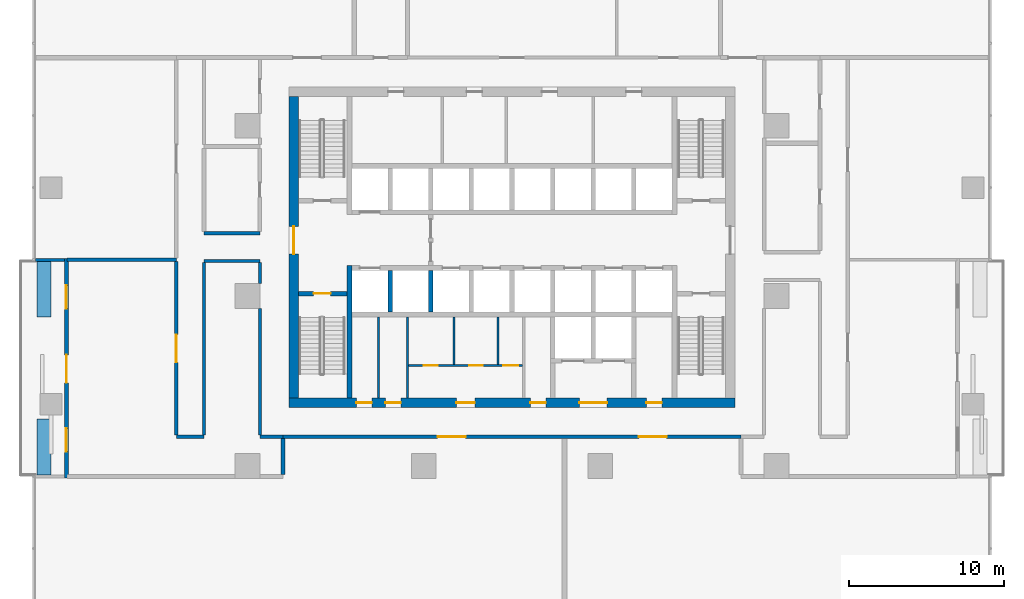
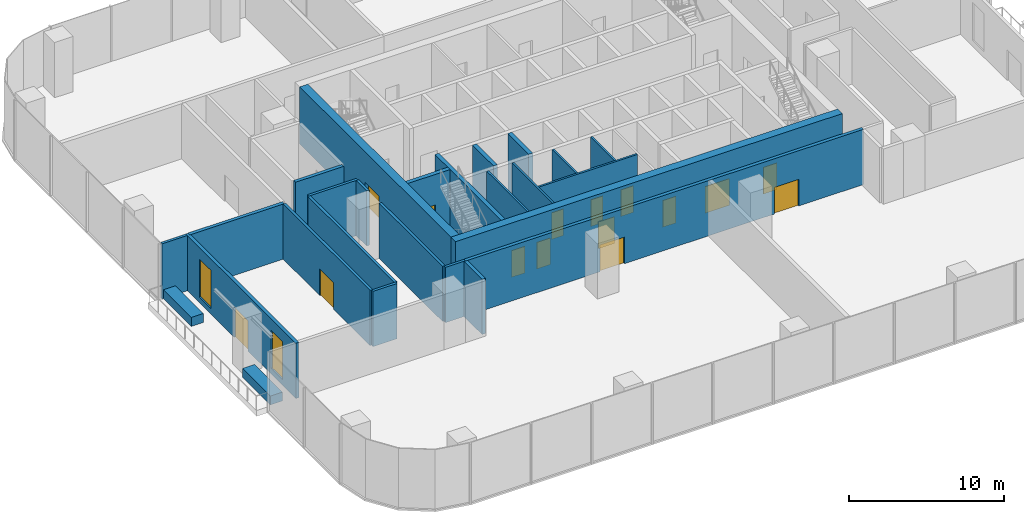
# One storey, part 7 of 14: 26 walls, 15 doors, 2 windows, 17 openings.
"""IFC4 building model written with IfcOpenShell, lengths in metres."""

from ifc_helpers import new_model, si_unit, direction, frame, frame_2d, origin, place, context, subcontext, project, spatial, rectangle, extrude, material, layer, layer_set, type_object, element, fill, save


model = new_model("IFC4")

# Units and contexts
model_context = context("Model", 3, precision=1e-05, world=origin(), true_north=direction((0.0, 1.0)))
body_context = subcontext(model_context, "Body", "Model", "MODEL_VIEW")
ifc_project = project(units=[si_unit("LENGTHUNIT", "METRE"), si_unit("AREAUNIT", "SQUARE_METRE"), si_unit("VOLUMEUNIT", "CUBIC_METRE"), si_unit("PLANEANGLEUNIT", "RADIAN"), si_unit("MASSUNIT", "GRAM", prefix="KILO")], contexts=[model_context])

# Site, building, storey
site_placement = place(None, origin())
site = spatial("IfcSite", under=ifc_project, at=site_placement, CompositionType="ELEMENT")
building_placement = place(site_placement, origin())
building = spatial("IfcBuilding", under=site, at=building_placement, Name="Mopane Tessera Tower", CompositionType="ELEMENT")
storey_placement = place(building_placement, frame((0.0, 0.0, 35.800048828125)))
storey = spatial("IfcBuildingStorey", under=building, at=storey_placement, Name="L06", CompositionType="ELEMENT", Elevation=35.800048828125)

# Walls
ifc_material_1 = material(Name="Fire-rated gypsum board partition")
ifc_layer_1 = layer(ifc_material_1, 0.14990234375)
ifc_layer_set_1 = layer_set([ifc_layer_1], Name="Fire-rated gypsum board partition")
wall_type_1 = type_object("IfcWallType", Name="Core room partition 150 mm", PredefinedType="PARTITIONING", material=ifc_layer_set_1)
for number, where, z_axis, x_axis, name in (
    (1, (-8.625, -6.60009765625, 0.0), (0.0, 0.0, 1.0), (0.0, 1.0, 0.0), "L06 Room partition"),
    (2, (-6.75, -6.60009765625, 0.0), (0.0, 0.0, 1.0), (0.0, 1.0, 0.0), "L06 Room partition"),
):
    element("IfcWall", number, at=place(storey_placement, frame(where, z_axis=z_axis, x_axis=x_axis)), inside=storey, type_object=wall_type_1, Name=name, PredefinedType="PARTITIONING", context=body_context, shape_type="SweptSolid", body=[
        extrude(rectangle(XDim=5.25, YDim=0.14990234375, at=frame_2d((2.625, 0.0))), origin(), (0.0, 0.0, 1.0), 4.5),
    ])

# Wall, openings, doors
wall_1_placement = place(storey_placement, frame((-6.675048828125, -4.5, 0.0), z_axis=(0.0, 0.0, 1.0), x_axis=(1.0, 0.0, 0.0)))
wall_1 = element("IfcWall", 3, at=wall_1_placement, inside=storey, type_object=wall_type_1, Name="L06 WC partition", PredefinedType="PARTITIONING", context=body_context, shape_type="SweptSolid", body=[
    extrude(rectangle(XDim=7.35009765625, YDim=0.14990234375, at=frame_2d((3.675048828125, 0.0))), origin(), (0.0, 0.0, 1.0), 4.5),
])
opening_1_placement = place(wall_1_placement, frame((0.97509765625, 0.0, 0.0)))
opening_1 = element("IfcOpeningElement", 4, at=opening_1_placement, cuts=wall_1, Name="Opening WD1", PredefinedType="OPENING", context=body_context, shape_type="SweptSolid", body=[
    extrude(rectangle(XDim=0.89990234375, YDim=2.10009765625, at=frame_2d((0.449951171875, 1.050048828125))), frame((0.0, 0.0869140625, 0.0), z_axis=(0.0, -1.0, 0.0), x_axis=(1.0, 0.0, 0.0)), (0.0, 0.0, 1.0), 0.173828125),
])
opening_2_placement = place(wall_1_placement, frame((3.89990234375, 0.0, 0.0)))
opening_2 = element("IfcOpeningElement", 5, at=opening_2_placement, cuts=wall_1, Name="Opening WD1", PredefinedType="OPENING", context=body_context, shape_type="SweptSolid", body=[
    extrude(rectangle(XDim=0.89990234375, YDim=2.10009765625, at=frame_2d((0.449951171875, 1.050048828125))), frame((0.0, 0.0869140625, 0.0), z_axis=(0.0, -1.0, 0.0), x_axis=(1.0, 0.0, 0.0)), (0.0, 0.0, 1.0), 0.173828125),
])
opening_3_placement = place(wall_1_placement, frame((6.125, 0.0, 0.0)))
opening_3 = element("IfcOpeningElement", 6, at=opening_3_placement, cuts=wall_1, Name="Opening WD2", PredefinedType="OPENING", context=body_context, shape_type="SweptSolid", body=[
    extrude(rectangle(XDim=0.949951171875, YDim=2.10009765625, at=frame_2d((0.47509765625, 1.050048828125))), frame((0.0, 0.0869140625, 0.0), z_axis=(0.0, -1.0, 0.0), x_axis=(1.0, 0.0, 0.0)), (0.0, 0.0, 1.0), 0.173828125),
])
ifc_material_2 = material(Name="Timber door", Category="wood")
door_type_1 = type_object("IfcDoorType", Name="Accessible WC door 950 x 2100", OperationType="SINGLE_SWING_LEFT", PredefinedType="DOOR", material=ifc_material_2)
door_1_placement = place(opening_3_placement, origin())
door_1 = element("IfcDoor", 7, at=door_1_placement, inside=storey, type_object=door_type_1, Name="L06 Accessible WC door", OperationType="SINGLE_SWING_LEFT", OverallHeight=2.10009765625, OverallWidth=0.949951171875, PredefinedType="DOOR", context=body_context, shape_type="SweptSolid", body=[
    extrude(rectangle(XDim=0.949951171875, YDim=2.10009765625, at=frame_2d((0.47509765625, 1.050048828125))), frame((0.0, 0.02490234375, 0.0), z_axis=(0.0, -1.0, 0.0), x_axis=(1.0, 0.0, 0.0)), (0.0, 0.0, 1.0), 0.050048828125),
])
fill(opening_3, door_1)
ifc_material_3 = material(Name="Timber door", Category="wood")
door_type_2 = type_object("IfcDoorType", Name="WC cubicle door 900 x 2100", OperationType="SINGLE_SWING_LEFT", PredefinedType="DOOR", material=ifc_material_3)
door_2_placement = place(opening_1_placement, origin())
door_2 = element("IfcDoor", 8, at=door_2_placement, inside=storey, type_object=door_type_2, Name="L06 Men's WC door", OperationType="SINGLE_SWING_LEFT", OverallHeight=2.10009765625, OverallWidth=0.89990234375, PredefinedType="DOOR", context=body_context, shape_type="SweptSolid", body=[
    extrude(rectangle(XDim=0.89990234375, YDim=2.10009765625, at=frame_2d((0.449951171875, 1.050048828125))), frame((0.0, 0.02490234375, 0.0), z_axis=(0.0, -1.0, 0.0), x_axis=(1.0, 0.0, 0.0)), (0.0, 0.0, 1.0), 0.050048828125),
])
fill(opening_1, door_2)
door_3_placement = place(opening_2_placement, origin())
door_3 = element("IfcDoor", 9, at=door_3_placement, inside=storey, type_object=door_type_2, Name="L06 Women's WC door", OperationType="SINGLE_SWING_LEFT", OverallHeight=2.10009765625, OverallWidth=0.89990234375, PredefinedType="DOOR", context=body_context, shape_type="SweptSolid", body=[
    extrude(rectangle(XDim=0.89990234375, YDim=2.10009765625, at=frame_2d((0.449951171875, 1.050048828125))), frame((0.0, 0.02490234375, 0.0), z_axis=(0.0, -1.0, 0.0), x_axis=(1.0, 0.0, 0.0)), (0.0, 0.0, 1.0), 0.050048828125),
])
fill(opening_2, door_3)

# Walls
for number, where, z_axis, x_axis, name in (
    (10, (-3.75, -4.425048828125, 0.0), (0.0, 0.0, 1.0), (0.0, 1.0, 0.0), "L06 WC partition"),
    (11, (-0.89990234375, -4.425048828125, 0.0), (0.0, 0.0, 1.0), (0.0, 1.0, 0.0), "L06 WC partition"),
):
    element("IfcWall", number, at=place(storey_placement, frame(where, z_axis=z_axis, x_axis=x_axis)), inside=storey, type_object=wall_type_1, Name=name, PredefinedType="PARTITIONING", context=body_context, shape_type="SweptSolid", body=[
        extrude(rectangle(XDim=3.074951171875, YDim=0.14990234375, at=frame_2d((1.53759765625, 0.0))), origin(), (0.0, 0.0, 1.0), 4.5),
    ])

# Wall, openings, doors
ifc_material_4 = material(Name="Concrete C70/85", Category="concrete")
ifc_layer_2 = layer(ifc_material_4, 0.60009765625)
ifc_layer_set_2 = layer_set([ifc_layer_2], Name="Concrete C70/85")
wall_type_2 = type_object("IfcWallType", Name="Core shear wall 600 mm", PredefinedType="SHEAR", material=ifc_layer_set_2)
wall_2_placement = place(storey_placement, frame((-14.39990234375, -6.89990234375, 0.0), z_axis=(0.0, 0.0, 1.0), x_axis=(1.0, 0.0, 0.0)))
wall_2 = element("IfcWall", 12, at=wall_2_placement, inside=storey, type_object=wall_type_2, Name="L06 Core wall south", PredefinedType="SHEAR", context=body_context, shape_type="SweptSolid", body=[
    extrude(rectangle(XDim=28.7998046875, YDim=0.60009765625, at=frame_2d((14.39990234375, 0.0))), origin(), (0.0, 0.0, 1.0), 4.5),
])
opening_4_placement = place(wall_2_placement, frame((4.33740234375, 0.0, 0.0)))
opening_4 = element("IfcOpeningElement", 13, at=opening_4_placement, cuts=wall_2, Name="Opening RD1", PredefinedType="OPENING", context=body_context, shape_type="SweptSolid", body=[
    extrude(rectangle(XDim=1.0, YDim=2.10009765625, at=frame_2d((0.5, 1.050048828125))), frame((0.0, 0.31201171875, 0.0), z_axis=(0.0, -1.0, 0.0), x_axis=(1.0, 0.0, 0.0)), (0.0, 0.0, 1.0), 0.6240234375),
])
opening_5_placement = place(wall_2_placement, frame((6.21240234375, 0.0, 0.0)))
opening_5 = element("IfcOpeningElement", 14, at=opening_5_placement, cuts=wall_2, Name="Opening RD1", PredefinedType="OPENING", context=body_context, shape_type="SweptSolid", body=[
    extrude(rectangle(XDim=1.0, YDim=2.10009765625, at=frame_2d((0.5, 1.050048828125))), frame((0.0, 0.31201171875, 0.0), z_axis=(0.0, -1.0, 0.0), x_axis=(1.0, 0.0, 0.0)), (0.0, 0.0, 1.0), 0.6240234375),
])
opening_6_placement = place(wall_2_placement, frame((10.800048828125, 0.0, 0.0)))
opening_6 = element("IfcOpeningElement", 15, at=opening_6_placement, cuts=wall_2, Name="Opening WD3", PredefinedType="OPENING", context=body_context, shape_type="SweptSolid", body=[
    extrude(rectangle(XDim=1.199951171875, YDim=2.10009765625, at=frame_2d((0.60009765625, 1.050048828125))), frame((0.0, 0.31201171875, 0.0), z_axis=(0.0, -1.0, 0.0), x_axis=(1.0, 0.0, 0.0)), (0.0, 0.0, 1.0), 0.6240234375),
])
opening_7_placement = place(wall_2_placement, frame((15.58740234375, 0.0, 0.0)))
opening_7 = element("IfcOpeningElement", 16, at=opening_7_placement, cuts=wall_2, Name="Opening RD1", PredefinedType="OPENING", context=body_context, shape_type="SweptSolid", body=[
    extrude(rectangle(XDim=1.0, YDim=2.10009765625, at=frame_2d((0.5, 1.050048828125))), frame((0.0, 0.31201171875, 0.0), z_axis=(0.0, -1.0, 0.0), x_axis=(1.0, 0.0, 0.0)), (0.0, 0.0, 1.0), 0.6240234375),
])
opening_8_placement = place(wall_2_placement, frame((18.75, 0.0, 0.0)))
opening_8 = element("IfcOpeningElement", 17, at=opening_8_placement, cuts=wall_2, Name="Opening SD2", PredefinedType="OPENING", context=body_context, shape_type="SweptSolid", body=[
    extrude(rectangle(XDim=1.800048828125, YDim=2.10009765625, at=frame_2d((0.89990234375, 1.050048828125))), frame((0.0, 0.31201171875, 0.0), z_axis=(0.0, -1.0, 0.0), x_axis=(1.0, 0.0, 0.0)), (0.0, 0.0, 1.0), 0.6240234375),
])
opening_9_placement = place(wall_2_placement, frame((23.08740234375, 0.0, 0.0)))
opening_9 = element("IfcOpeningElement", 18, at=opening_9_placement, cuts=wall_2, Name="Opening RD1", PredefinedType="OPENING", context=body_context, shape_type="SweptSolid", body=[
    extrude(rectangle(XDim=1.0, YDim=2.10009765625, at=frame_2d((0.5, 1.050048828125))), frame((0.0, 0.31201171875, 0.0), z_axis=(0.0, -1.0, 0.0), x_axis=(1.0, 0.0, 0.0)), (0.0, 0.0, 1.0), 0.6240234375),
])
ifc_material_5 = material(Name="Steel fire door", Category="steel")
door_type_3 = type_object("IfcDoorType", Name="Core entrance double door 1800 x 2100", OperationType="DOUBLE_DOOR_SINGLE_SWING", PredefinedType="DOOR", material=ifc_material_5)
door_4_placement = place(opening_8_placement, origin())
door_4 = element("IfcDoor", 19, at=door_4_placement, inside=storey, type_object=door_type_3, Name="L06 Service lobby door", OperationType="DOUBLE_DOOR_SINGLE_SWING", OverallHeight=2.10009765625, OverallWidth=1.800048828125, PredefinedType="DOOR", context=body_context, shape_type="SweptSolid", body=[
    extrude(rectangle(XDim=1.800048828125, YDim=2.10009765625, at=frame_2d((0.89990234375, 1.050048828125))), frame((0.0, 0.02490234375, 0.0), z_axis=(0.0, -1.0, 0.0), x_axis=(1.0, 0.0, 0.0)), (0.0, 0.0, 1.0), 0.050048828125),
])
fill(opening_8, door_4)
ifc_material_6 = material(Name="Timber door", Category="wood")
door_type_4 = type_object("IfcDoorType", Name="Core room door 1000 x 2100", OperationType="SINGLE_SWING_LEFT", PredefinedType="DOOR", material=ifc_material_6)
door_5_placement = place(opening_4_placement, origin())
door_5 = element("IfcDoor", 20, at=door_5_placement, inside=storey, type_object=door_type_4, Name="L06 Room door", OperationType="SINGLE_SWING_LEFT", OverallHeight=2.10009765625, OverallWidth=1.0, PredefinedType="DOOR", context=body_context, shape_type="SweptSolid", body=[
    extrude(rectangle(XDim=1.0, YDim=2.10009765625, at=frame_2d((0.5, 1.050048828125))), frame((0.0, 0.02490234375, 0.0), z_axis=(0.0, -1.0, 0.0), x_axis=(1.0, 0.0, 0.0)), (0.0, 0.0, 1.0), 0.050048828125),
])
fill(opening_4, door_5)
door_6_placement = place(opening_5_placement, origin())
door_6 = element("IfcDoor", 21, at=door_6_placement, inside=storey, type_object=door_type_4, Name="L06 Room door", OperationType="SINGLE_SWING_LEFT", OverallHeight=2.10009765625, OverallWidth=1.0, PredefinedType="DOOR", context=body_context, shape_type="SweptSolid", body=[
    extrude(rectangle(XDim=1.0, YDim=2.10009765625, at=frame_2d((0.5, 1.050048828125))), frame((0.0, 0.02490234375, 0.0), z_axis=(0.0, -1.0, 0.0), x_axis=(1.0, 0.0, 0.0)), (0.0, 0.0, 1.0), 0.050048828125),
])
fill(opening_5, door_6)
door_7_placement = place(opening_7_placement, origin())
door_7 = element("IfcDoor", 22, at=door_7_placement, inside=storey, type_object=door_type_4, Name="L06 Room door", OperationType="SINGLE_SWING_LEFT", OverallHeight=2.10009765625, OverallWidth=1.0, PredefinedType="DOOR", context=body_context, shape_type="SweptSolid", body=[
    extrude(rectangle(XDim=1.0, YDim=2.10009765625, at=frame_2d((0.5, 1.050048828125))), frame((0.0, 0.02490234375, 0.0), z_axis=(0.0, -1.0, 0.0), x_axis=(1.0, 0.0, 0.0)), (0.0, 0.0, 1.0), 0.050048828125),
])
fill(opening_7, door_7)
door_8_placement = place(opening_9_placement, origin())
door_8 = element("IfcDoor", 23, at=door_8_placement, inside=storey, type_object=door_type_4, Name="L06 Room door", OperationType="SINGLE_SWING_LEFT", OverallHeight=2.10009765625, OverallWidth=1.0, PredefinedType="DOOR", context=body_context, shape_type="SweptSolid", body=[
    extrude(rectangle(XDim=1.0, YDim=2.10009765625, at=frame_2d((0.5, 1.050048828125))), frame((0.0, 0.02490234375, 0.0), z_axis=(0.0, -1.0, 0.0), x_axis=(1.0, 0.0, 0.0)), (0.0, 0.0, 1.0), 0.050048828125),
])
fill(opening_9, door_8)
ifc_material_7 = material(Name="Timber door", Category="wood")
door_type_5 = type_object("IfcDoorType", Name="WC lobby door 1200 x 2100", OperationType="SINGLE_SWING_LEFT", PredefinedType="DOOR", material=ifc_material_7)
door_9_placement = place(opening_6_placement, origin())
door_9 = element("IfcDoor", 24, at=door_9_placement, inside=storey, type_object=door_type_5, Name="L06 WC lobby door", OperationType="SINGLE_SWING_LEFT", OverallHeight=2.10009765625, OverallWidth=1.199951171875, PredefinedType="DOOR", context=body_context, shape_type="SweptSolid", body=[
    extrude(rectangle(XDim=1.199951171875, YDim=2.10009765625, at=frame_2d((0.60009765625, 1.050048828125))), frame((0.0, 0.02490234375, 0.0), z_axis=(0.0, -1.0, 0.0), x_axis=(1.0, 0.0, 0.0)), (0.0, 0.0, 1.0), 0.050048828125),
])
fill(opening_6, door_9)

# Wall, opening, door
wall_3_placement = place(storey_placement, frame((-14.10009765625, -6.60009765625, 0.0), z_axis=(0.0, 0.0, 1.0), x_axis=(0.0, 1.0, 0.0)))
wall_3 = element("IfcWall", 25, at=wall_3_placement, inside=storey, type_object=wall_type_2, Name="L06 Core wall west", PredefinedType="SHEAR", context=body_context, shape_type="SweptSolid", body=[
    extrude(rectangle(XDim=19.5, YDim=0.60009765625, at=frame_2d((9.75, 0.0))), origin(), (0.0, 0.0, 1.0), 4.5),
])
opening_10_placement = place(wall_3_placement, frame((9.300048828125, 0.0, 0.0)))
opening_10 = element("IfcOpeningElement", 26, at=opening_10_placement, cuts=wall_3, Name="Opening SD2", PredefinedType="OPENING", context=body_context, shape_type="SweptSolid", body=[
    extrude(rectangle(XDim=1.800048828125, YDim=2.10009765625, at=frame_2d((0.89990234375, 1.050048828125))), frame((0.0, 0.31201171875, 0.0), z_axis=(0.0, -1.0, 0.0), x_axis=(1.0, 0.0, 0.0)), (0.0, 0.0, 1.0), 0.6240234375),
])
door_10_placement = place(opening_10_placement, origin())
door_10 = element("IfcDoor", 27, at=door_10_placement, inside=storey, type_object=door_type_3, Name="L06 Core entrance door west", OperationType="DOUBLE_DOOR_SINGLE_SWING", OverallHeight=2.10009765625, OverallWidth=1.800048828125, PredefinedType="DOOR", context=body_context, shape_type="SweptSolid", body=[
    extrude(rectangle(XDim=1.800048828125, YDim=2.10009765625, at=frame_2d((0.89990234375, 1.050048828125))), frame((0.0, 0.02490234375, 0.0), z_axis=(0.0, -1.0, 0.0), x_axis=(1.0, 0.0, 0.0)), (0.0, 0.0, 1.0), 0.050048828125),
])
fill(opening_10, door_10)

# Walls
ifc_material_8 = material(Name="Concrete C60/75", Category="concrete")
ifc_layer_3 = layer(ifc_material_8, 0.300048828125)
ifc_layer_set_3 = layer_set([ifc_layer_3], Name="Concrete C60/75")
wall_type_3 = type_object("IfcWallType", Name="Core spine wall 300 mm", PredefinedType="SHEAR", material=ifc_layer_set_3)
wall_4_placement = place(storey_placement, frame((-10.5, -6.60009765625, 0.0), z_axis=(0.0, 0.0, 1.0), x_axis=(0.0, 1.0, 0.0)))
element("IfcWall", 28, at=wall_4_placement, inside=storey, type_object=wall_type_3, Name="L06 Core spine wall", PredefinedType="SHEAR", context=body_context, shape_type="SweptSolid", body=[
    extrude(rectangle(XDim=8.550048828125, YDim=0.300048828125, at=frame_2d((4.27490234375, 0.0))), origin(), (0.0, 0.0, 1.0), 4.5),
])
ifc_material_9 = material(Name="Gypsum board on steel studs, two layers each face, mineral wool infill", Category="steel")
ifc_layer_4 = layer(ifc_material_9, 0.199951171875)
ifc_layer_set_4 = layer_set([ifc_layer_4], Name="Gypsum board on steel studs, two layers each face, mineral wool infill")
wall_type_4 = type_object("IfcWallType", Name="Gypsum board corridor wall 200, rated EI 60", PredefinedType="PARTITIONING", material=ifc_layer_set_4)
wall_5_placement = place(storey_placement, frame((-21.699951171875, -9.10009765625, 0.0), z_axis=(0.0, 0.0, 1.0), x_axis=(1.0, 0.0, 0.0)))
element("IfcWall", 29, at=wall_5_placement, inside=storey, type_object=wall_type_4, Name="Partition L06:004", PredefinedType="PARTITIONING", context=body_context, shape_type="SweptSolid", body=[
    extrude(rectangle(XDim=1.800048828125, YDim=0.199951171875, at=frame_2d((0.89990234375, 0.0))), origin(), (0.0, 0.0, 1.0), 4.349853515625),
])
wall_6_placement = place(storey_placement, frame((-16.300048828125, -9.10009765625, 0.0), z_axis=(0.0, 0.0, 1.0), x_axis=(1.0, 0.0, 0.0)))
element("IfcWall", 30, at=wall_6_placement, inside=storey, type_object=wall_type_4, Name="Partition L06:005", PredefinedType="PARTITIONING", context=body_context, shape_type="SweptSolid", body=[
    extrude(rectangle(XDim=1.5, YDim=0.199951171875, at=frame_2d((0.75, 0.0))), origin(), (0.0, 0.0, 1.0), 4.349853515625),
])
wall_7_placement = place(storey_placement, frame((-19.89990234375, 2.25, 0.0), z_axis=(0.0, 0.0, 1.0), x_axis=(1.0, 0.0, 0.0)))
element("IfcWall", 31, at=wall_7_placement, inside=storey, type_object=wall_type_4, Name="Partition L06:010", PredefinedType="PARTITIONING", context=body_context, shape_type="SweptSolid", body=[
    extrude(rectangle(XDim=3.599853515625, YDim=0.199951171875, at=frame_2d((1.7998046875, 0.0))), origin(), (0.0, 0.0, 1.0), 4.349853515625),
])

# Wall, opening, door
wall_8_placement = place(storey_placement, frame((-21.699951171875, -9.0, 0.0), z_axis=(0.0, 0.0, 1.0), x_axis=(0.0, 1.0, 0.0)))
wall_8 = element("IfcWall", 32, at=wall_8_placement, inside=storey, type_object=wall_type_4, Name="Partition L06:023", PredefinedType="PARTITIONING", context=body_context, shape_type="SweptSolid", body=[
    extrude(rectangle(XDim=11.2099609375, YDim=0.199951171875, at=frame_2d((5.60498046875, 0.0))), origin(), (0.0, 0.0, 1.0), 4.349853515625),
])
opening_11_placement = place(wall_8_placement, frame((4.705078125, 0.0, 0.0)))
opening_11 = element("IfcOpeningElement", 33, at=opening_11_placement, cuts=wall_8, Name="Opening L06-03", PredefinedType="OPENING", context=body_context, shape_type="SweptSolid", body=[
    extrude(rectangle(XDim=1.800048828125, YDim=2.10009765625, at=frame_2d((0.89990234375, 1.050048828125))), frame((0.0, 0.112060546875, 0.0), z_axis=(0.0, -1.0, 0.0), x_axis=(1.0, 0.0, 0.0)), (0.0, 0.0, 1.0), 0.223876953125),
])
ifc_material_10 = material(Name="Timber veneered steel-framed fire door", Category="steel")
door_type_6 = type_object("IfcDoorType", Name="Fire door pair FD60 1800 x 2100", OperationType="DOUBLE_DOOR_SINGLE_SWING", PredefinedType="DOOR", material=ifc_material_10)
door_11_placement = place(opening_11_placement, origin())
door_11 = element("IfcDoor", 34, at=door_11_placement, inside=storey, type_object=door_type_6, Name="Door L06-03", ObjectType="D20A", OperationType="DOUBLE_DOOR_SINGLE_SWING", OverallHeight=2.10009765625, OverallWidth=1.800048828125, PredefinedType="DOOR", context=body_context, shape_type="SweptSolid", body=[
    extrude(rectangle(XDim=1.800048828125, YDim=2.10009765625, at=frame_2d((0.89990234375, 1.050048828125))), frame((0.0, 0.02490234375, 0.0), z_axis=(0.0, -1.0, 0.0), x_axis=(1.0, 0.0, 0.0)), (0.0, 0.0, 1.0), 0.050048828125),
])
fill(opening_11, door_11)

# Walls
wall_9_placement = place(storey_placement, frame((-19.89990234375, -9.0, 0.0), z_axis=(0.0, 0.0, 1.0), x_axis=(0.0, 1.0, 0.0)))
element("IfcWall", 35, at=wall_9_placement, inside=storey, type_object=wall_type_4, Name="Partition L06:025", PredefinedType="PARTITIONING", context=body_context, shape_type="SweptSolid", body=[
    extrude(rectangle(XDim=11.14990234375, YDim=0.199951171875, at=frame_2d((5.574951171875, 0.0))), origin(), (0.0, 0.0, 1.0), 4.349853515625),
])
wall_10_placement = place(storey_placement, frame((-16.300048828125, -9.0, 0.0), z_axis=(0.0, 0.0, 1.0), x_axis=(0.0, 1.0, 0.0)))
element("IfcWall", 36, at=wall_10_placement, inside=storey, type_object=wall_type_4, Name="Partition L06:028", PredefinedType="PARTITIONING", context=body_context, shape_type="SweptSolid", body=[
    extrude(rectangle(XDim=8.199951171875, YDim=0.199951171875, at=frame_2d((4.10009765625, 0.0))), origin(), (0.0, 0.0, 1.0), 4.349853515625),
])
wall_11_placement = place(storey_placement, frame((-16.300048828125, 0.800048828125, 0.0), z_axis=(0.0, 0.0, 1.0), x_axis=(0.0, 1.0, 0.0)))
element("IfcWall", 37, at=wall_11_placement, inside=storey, type_object=wall_type_4, Name="Partition L06:029", PredefinedType="PARTITIONING", context=body_context, shape_type="SweptSolid", body=[
    extrude(rectangle(XDim=1.349853515625, YDim=0.199951171875, at=frame_2d((0.6748046875, 0.0))), origin(), (0.0, 0.0, 1.0), 4.349853515625),
])

# Wall, opening, door
ifc_material_11 = material(Name="Concrete C50/60", Category="concrete")
ifc_layer_5 = layer(ifc_material_11, 0.300048828125)
ifc_layer_set_5 = layer_set([ifc_layer_5], Name="Concrete C50/60")
wall_type_5 = type_object("IfcWallType", Name="Lift and stair shaft wall 300 mm", PredefinedType="SOLIDWALL", material=ifc_layer_set_5)
wall_12_placement = place(storey_placement, frame((-13.800048828125, 0.14990234375, 0.0), z_axis=(0.0, 0.0, 1.0), x_axis=(1.0, 0.0, 0.0)))
wall_12 = element("IfcWall", 38, at=wall_12_placement, inside=storey, type_object=wall_type_5, Name="L06 Stair enclosure wall", PredefinedType="SOLIDWALL", context=body_context, shape_type="SweptSolid", body=[
    extrude(rectangle(XDim=3.150146484375, YDim=0.300048828125, at=frame_2d((1.5751953125, 0.0))), origin(), (0.0, 0.0, 1.0), 4.5),
])
opening_12_placement = place(wall_12_placement, frame((0.97509765625, 0.0, 0.0)))
opening_12 = element("IfcOpeningElement", 39, at=opening_12_placement, cuts=wall_12, Name="Opening SD1", PredefinedType="OPENING", context=body_context, shape_type="SweptSolid", body=[
    extrude(rectangle(XDim=1.10009765625, YDim=2.10009765625, at=frame_2d((0.550048828125, 1.050048828125))), frame((0.0, 0.162109375, 0.0), z_axis=(0.0, -1.0, 0.0), x_axis=(1.0, 0.0, 0.0)), (0.0, 0.0, 1.0), 0.323974609375),
])
ifc_material_12 = material(Name="Steel fire door", Category="steel")
door_type_7 = type_object("IfcDoorType", Name="Stair fire door 1100 x 2100", OperationType="SINGLE_SWING_LEFT", PredefinedType="DOOR", material=ifc_material_12)
door_12_placement = place(opening_12_placement, origin())
door_12 = element("IfcDoor", 40, at=door_12_placement, inside=storey, type_object=door_type_7, Name="L06 Stair door ST1", OperationType="SINGLE_SWING_LEFT", OverallHeight=2.10009765625, OverallWidth=1.10009765625, PredefinedType="DOOR", context=body_context, shape_type="SweptSolid", body=[
    extrude(rectangle(XDim=1.10009765625, YDim=2.10009765625, at=frame_2d((0.550048828125, 1.050048828125))), frame((0.0, 0.02490234375, 0.0), z_axis=(0.0, -1.0, 0.0), x_axis=(1.0, 0.0, 0.0)), (0.0, 0.0, 1.0), 0.050048828125),
])
fill(opening_12, door_12)

# Walls
for number, where, z_axis, x_axis, name in (
    (41, (-7.875, -1.050048828125, 0.0), (0.0, 0.0, 1.0), (0.0, 1.0, 0.0), "L06 Lift shaft wall"),
    (42, (-5.25, -1.050048828125, 0.0), (0.0, 0.0, 1.0), (0.0, 1.0, 0.0), "L06 Lift shaft wall"),
):
    element("IfcWall", number, at=place(storey_placement, frame(where, z_axis=z_axis, x_axis=x_axis)), inside=storey, type_object=wall_type_5, Name=name, PredefinedType="SOLIDWALL", context=body_context, shape_type="SweptSolid", body=[
        extrude(rectangle(XDim=2.699951171875, YDim=0.300048828125, at=frame_2d((1.35009765625, 0.0))), origin(), (0.0, 0.0, 1.0), 4.5),
    ])
ifc_material_13 = material(Name="Reinforced concrete C32/40 with waterproofing", Category="concrete")
ifc_layer_6 = layer(ifc_material_13, 0.89990234375)
ifc_layer_set_6 = layer_set([ifc_layer_6], Name="Reinforced concrete C32/40 with waterproofing")
wall_type_6 = type_object("IfcWallType", Name="Planter trough 3600 x 900", PredefinedType="STANDARD", material=ifc_layer_set_6)
for number, where, z_axis, x_axis, name in (
    (43, (-30.25, 2.2333984375, 0.0), (0.0, 0.0, 1.0), (0.0, -1.0, 0.0), "e:nw:L06:N3:pl0"),
    (44, (-30.25, -7.966552734375, 0.0), (0.0, 0.0, 1.0), (0.0, -1.0, 0.0), "e:nw:L06:N3:pl1"),
):
    element("IfcWall", number, at=place(storey_placement, frame(where, z_axis=z_axis, x_axis=x_axis)), inside=storey, type_object=wall_type_6, Name=name, PredefinedType="STANDARD", context=body_context, shape_type="SweptSolid", body=[
        extrude(rectangle(XDim=3.60009765625, YDim=0.89990234375, at=frame_2d((1.800048828125, 0.0))), origin(), (0.0, 0.0, 1.0), 0.699951171875),
    ])

# Wall, openings, doors
ifc_material_14 = material(Name="Plastered concrete blockwork C20/25", Category="masonry")
ifc_layer_7 = layer(ifc_material_14, 0.25)
ifc_layer_set_7 = layer_set([ifc_layer_7], Name="Plastered concrete blockwork C20/25")
wall_type_7 = type_object("IfcWallType", Name="Plastered blockwork wall 250, rated EI 120", PredefinedType="PARTITIONING", material=ifc_layer_set_7)
wall_13_placement = place(storey_placement, frame((-14.800048828125, -9.10009765625, 0.0), z_axis=(0.0, 0.0, 1.0), x_axis=(1.0, 0.0, 0.0)))
wall_13 = element("IfcWall", 45, at=wall_13_placement, inside=storey, type_object=wall_type_7, Name="Partition L06:008", PredefinedType="PARTITIONING", context=body_context, shape_type="SweptSolid", body=[
    extrude(rectangle(XDim=29.60009765625, YDim=0.25, at=frame_2d((14.800048828125, 0.0))), origin(), (0.0, 0.0, 1.0), 4.349853515625),
])
opening_13_placement = place(wall_13_placement, frame((22.99755859375, 0.0, 0.0)))
opening_13 = element("IfcOpeningElement", 46, at=opening_13_placement, cuts=wall_13, Name="Opening L06-07", PredefinedType="OPENING", context=body_context, shape_type="SweptSolid", body=[
    extrude(rectangle(XDim=1.800048828125, YDim=2.10009765625, at=frame_2d((0.89990234375, 1.050048828125))), frame((0.0, 0.136962890625, 0.0), z_axis=(0.0, -1.0, 0.0), x_axis=(1.0, 0.0, 0.0)), (0.0, 0.0, 1.0), 0.27392578125),
])
opening_14_placement = place(wall_13_placement, frame((9.99755859375, 0.0, 0.0)))
opening_14 = element("IfcOpeningElement", 47, at=opening_14_placement, cuts=wall_13, Name="Opening L06-09", PredefinedType="OPENING", context=body_context, shape_type="SweptSolid", body=[
    extrude(rectangle(XDim=1.800048828125, YDim=2.10009765625, at=frame_2d((0.89990234375, 1.050048828125))), frame((0.0, 0.136962890625, 0.0), z_axis=(0.0, -1.0, 0.0), x_axis=(1.0, 0.0, 0.0)), (0.0, 0.0, 1.0), 0.27392578125),
])
ifc_material_15 = material(Name="Timber veneered steel-framed fire door", Category="steel")
door_type_8 = type_object("IfcDoorType", Name="Fire door pair FD120 1800 x 2100", OperationType="DOUBLE_DOOR_SINGLE_SWING", PredefinedType="DOOR", material=ifc_material_15)
door_13_placement = place(opening_13_placement, origin())
door_13 = element("IfcDoor", 48, at=door_13_placement, inside=storey, type_object=door_type_8, Name="Door L06-07", ObjectType="D20B", OperationType="DOUBLE_DOOR_SINGLE_SWING", OverallHeight=2.10009765625, OverallWidth=1.800048828125, PredefinedType="DOOR", context=body_context, shape_type="SweptSolid", body=[
    extrude(rectangle(XDim=1.800048828125, YDim=2.10009765625, at=frame_2d((0.89990234375, 1.050048828125))), frame((0.0, 0.02490234375, 0.0), z_axis=(0.0, -1.0, 0.0), x_axis=(1.0, 0.0, 0.0)), (0.0, 0.0, 1.0), 0.050048828125),
])
fill(opening_13, door_13)
door_14_placement = place(opening_14_placement, origin())
door_14 = element("IfcDoor", 49, at=door_14_placement, inside=storey, type_object=door_type_8, Name="Door L06-09", ObjectType="D20B", OperationType="DOUBLE_DOOR_SINGLE_SWING", OverallHeight=2.10009765625, OverallWidth=1.800048828125, PredefinedType="DOOR", context=body_context, shape_type="SweptSolid", body=[
    extrude(rectangle(XDim=1.800048828125, YDim=2.10009765625, at=frame_2d((0.89990234375, 1.050048828125))), frame((0.0, 0.02490234375, 0.0), z_axis=(0.0, -1.0, 0.0), x_axis=(1.0, 0.0, 0.0)), (0.0, 0.0, 1.0), 0.050048828125),
])
fill(opening_14, door_14)

# Walls
wall_14_placement = place(storey_placement, frame((-28.75, 2.3349609375, 0.0), z_axis=(0.0, 0.0, 1.0), x_axis=(1.0, 0.0, 0.0)))
element("IfcWall", 50, at=wall_14_placement, inside=storey, type_object=wall_type_7, Name="Partition L06:012", PredefinedType="PARTITIONING", context=body_context, shape_type="SweptSolid", body=[
    extrude(rectangle(XDim=7.050048828125, YDim=0.25, at=frame_2d((3.52490234375, 0.0))), origin(), (0.0, 0.0, 1.0), 4.349853515625),
])
wall_15_placement = place(storey_placement, frame((-19.89990234375, 4.050048828125, 0.0), z_axis=(0.0, 0.0, 1.0), x_axis=(1.0, 0.0, 0.0)))
element("IfcWall", 51, at=wall_15_placement, inside=storey, type_object=wall_type_7, Name="Partition L06:014", PredefinedType="PARTITIONING", context=body_context, shape_type="SweptSolid", body=[
    extrude(rectangle(XDim=3.599853515625, YDim=0.25, at=frame_2d((1.7998046875, 0.0))), origin(), (0.0, 0.0, 1.0), 4.349853515625),
])
wall_16_placement = place(storey_placement, frame((-14.800048828125, -11.5400390625, 0.0), z_axis=(0.0, 0.0, 1.0), x_axis=(0.0, 1.0, 0.0)))
element("IfcWall", 52, at=wall_16_placement, inside=storey, type_object=wall_type_7, Name="Partition L06:033", PredefinedType="PARTITIONING", context=body_context, shape_type="SweptSolid", body=[
    extrude(rectangle(XDim=2.31494140625, YDim=0.25, at=frame_2d((1.157470703125, 0.0))), origin(), (0.0, 0.0, 1.0), 4.349853515625),
])
ifc_material_16 = material(Name="Blockwork with glazed tile facing", Category="masonry")
ifc_layer_8 = layer(ifc_material_16, 0.199951171875)
ifc_layer_set_8 = layer_set([ifc_layer_8], Name="Blockwork with glazed tile facing")
wall_type_8 = type_object("IfcWallType", Name="Terrace cheek wall 200", PredefinedType="STANDARD", material=ifc_layer_set_8)
wall_17_placement = place(storey_placement, frame((-30.800048828125, 2.333251953125, 0.0), z_axis=(0.0, 0.0, 1.0), x_axis=(1.0, 0.0, 0.0)))
element("IfcWall", 53, at=wall_17_placement, inside=storey, type_object=wall_type_8, Name="e:nw:L06:N3:cheeka", PredefinedType="STANDARD", context=body_context, shape_type="SweptSolid", body=[
    extrude(rectangle(XDim=1.875, YDim=0.199951171875, at=frame_2d((0.9375, 0.0))), origin(), (0.0, 0.0, 1.0), 4.349853515625),
])

# Wall, openings, windows, door
ifc_material_17 = material(Name="Blockwork with ultramarine glazed tile facing", Category="masonry")
ifc_layer_9 = layer(ifc_material_17, 0.25)
ifc_layer_set_9 = layer_set([ifc_layer_9], Name="Blockwork with ultramarine glazed tile facing")
wall_type_9 = type_object("IfcWallType", Name="Tile-clad external wall 250, ultramarine", PredefinedType="STANDARD", material=ifc_layer_set_9)
wall_18_placement = place(storey_placement, frame((-28.800048828125, 2.433349609375, 0.0), z_axis=(0.0, 0.0, 1.0), x_axis=(0.0, -1.0, 0.0)))
wall_18 = element("IfcWall", 54, at=wall_18_placement, inside=storey, type_object=wall_type_9, Name="e:nw:L06:N3:back", PredefinedType="STANDARD", context=body_context, shape_type="SweptSolid", body=[
    extrude(rectangle(XDim=14.199951171875, YDim=0.25, at=frame_2d((7.10009765625, 0.0))), origin(), (0.0, 0.0, 1.0), 4.349853515625),
])
opening_15_placement = place(wall_18_placement, frame((1.75, 0.0, 0.449951171875)))
opening_15 = element("IfcOpeningElement", 55, at=opening_15_placement, cuts=wall_18, Name="Opening NW063A", PredefinedType="OPENING", context=body_context, shape_type="SweptSolid", body=[
    extrude(rectangle(XDim=1.5, YDim=3.0, at=frame_2d((0.75, 1.5))), frame((0.0, 0.136962890625, 0.0), z_axis=(0.0, -1.0, 0.0), x_axis=(1.0, 0.0, 0.0)), (0.0, 0.0, 1.0), 0.27392578125),
])
opening_16_placement = place(wall_18_placement, frame((6.25, 0.0, 0.0)))
opening_16 = element("IfcOpeningElement", 56, at=opening_16_placement, cuts=wall_18, Name="Opening ND063", PredefinedType="OPENING", context=body_context, shape_type="SweptSolid", body=[
    extrude(rectangle(XDim=1.800048828125, YDim=2.39990234375, at=frame_2d((0.89990234375, 1.199951171875))), frame((0.0, 0.136962890625, 0.0), z_axis=(0.0, -1.0, 0.0), x_axis=(1.0, 0.0, 0.0)), (0.0, 0.0, 1.0), 0.27392578125),
])
opening_17_placement = place(wall_18_placement, frame((11.0, 0.0, 0.449951171875)))
opening_17 = element("IfcOpeningElement", 57, at=opening_17_placement, cuts=wall_18, Name="Opening NW063B", PredefinedType="OPENING", context=body_context, shape_type="SweptSolid", body=[
    extrude(rectangle(XDim=1.5, YDim=3.0, at=frame_2d((0.75, 1.5))), frame((0.0, 0.136962890625, 0.0), z_axis=(0.0, -1.0, 0.0), x_axis=(1.0, 0.0, 0.0)), (0.0, 0.0, 1.0), 0.27392578125),
])
ifc_material_18 = material(Name="Clear laminated glass", Category="glass")
window_type = type_object("IfcWindowType", Name="Fixed window 1500 x 3000", PartitioningType="SINGLE_PANEL", PredefinedType="WINDOW", material=ifc_material_18)
window_1_placement = place(opening_15_placement, origin())
window_1 = element("IfcWindow", 58, at=window_1_placement, inside=storey, type_object=window_type, Name="e:nw:L06:N3:win0", OverallHeight=3.0, OverallWidth=1.5, PartitioningType="SINGLE_PANEL", PredefinedType="WINDOW", context=body_context, shape_type="SweptSolid", body=[
    extrude(rectangle(XDim=1.5, YDim=3.0, at=frame_2d((0.75, 1.5))), frame((0.0, 0.030029296875, 0.0), z_axis=(0.0, -1.0, 0.0), x_axis=(1.0, 0.0, 0.0)), (0.0, 0.0, 1.0), 0.06005859375),
])
fill(opening_15, window_1)
window_2_placement = place(opening_17_placement, origin())
window_2 = element("IfcWindow", 59, at=window_2_placement, inside=storey, type_object=window_type, Name="e:nw:L06:N3:win2", OverallHeight=3.0, OverallWidth=1.5, PartitioningType="SINGLE_PANEL", PredefinedType="WINDOW", context=body_context, shape_type="SweptSolid", body=[
    extrude(rectangle(XDim=1.5, YDim=3.0, at=frame_2d((0.75, 1.5))), frame((0.0, 0.030029296875, 0.0), z_axis=(0.0, -1.0, 0.0), x_axis=(1.0, 0.0, 0.0)), (0.0, 0.0, 1.0), 0.06005859375),
])
fill(opening_17, window_2)
ifc_material_19 = material(Name="Aluminium and clear glass", Category="aluminium")
door_type_9 = type_object("IfcDoorType", Name="Terrace double door 1800 x 2400", OperationType="DOUBLE_DOOR_SINGLE_SWING", PredefinedType="DOOR", material=ifc_material_19)
door_15_placement = place(opening_16_placement, origin())
door_15 = element("IfcDoor", 60, at=door_15_placement, inside=storey, type_object=door_type_9, Name="e:nw:L06:N3:door", ObjectType="D1", OperationType="DOUBLE_DOOR_SINGLE_SWING", OverallHeight=2.39990234375, OverallWidth=1.800048828125, PredefinedType="DOOR", context=body_context, shape_type="SweptSolid", body=[
    extrude(rectangle(XDim=1.800048828125, YDim=2.39990234375, at=frame_2d((0.89990234375, 1.199951171875))), frame((0.0, 0.02490234375, 0.0), z_axis=(0.0, -1.0, 0.0), x_axis=(1.0, 0.0, 0.0)), (0.0, 0.0, 1.0), 0.050048828125),
])
fill(opening_16, door_15)

save(model, "model.ifc")
